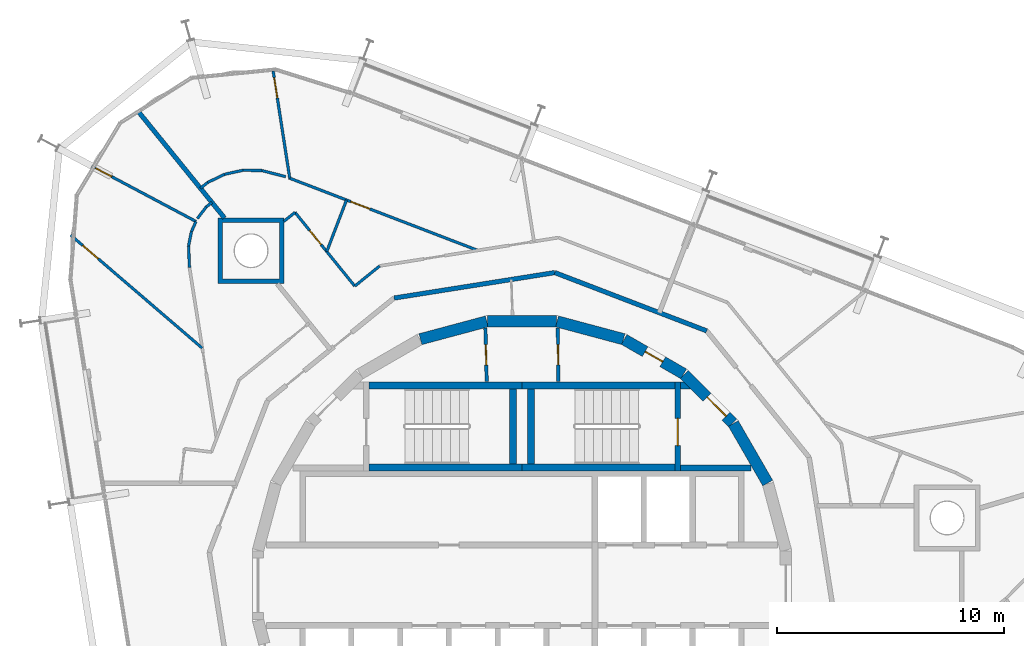
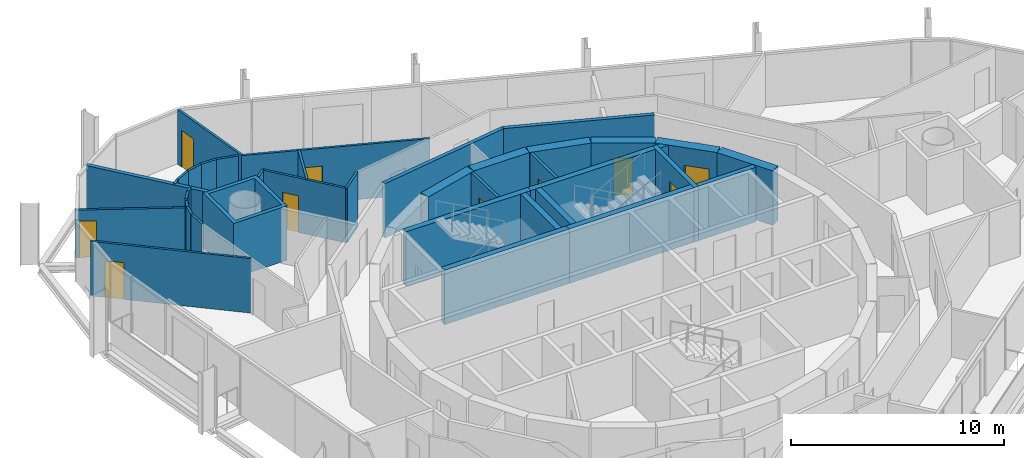
# One storey, part 15 of 17: 39 walls, 10 doors, 10 openings.
"""IFC4 building model written with IfcOpenShell, lengths in metres."""

import ifcopenshell
import ifcopenshell.guid

model = None  # the IFC model being written
_history = None  # IfcOwnerHistory: only IFC2X3 demands one
_inside = {}  # id of a spatial element -> (the spatial element, [elements in it])
_under = {}  # id of a project, library or spatial element -> (it, [spatial elements below it])
_declared = {}  # id of a project -> (the project, [libraries it declares])
_typed = {}  # id of a type object -> (the type object, [elements of that type])
_made_of = {}  # id of a material, layer set ... -> (it, [elements and type objects made of it])


def new_model(schema):
    """Start an empty IFC model of exactly this schema.

    Asked for "IFC4X3", IfcOpenShell would pick the latest addendum, in which some entities
    have other attributes; the version numbers below select the first issue.
    IFC2X3 requires an IfcOwnerHistory on every rooted entity: one is made here for all.
    """
    global model, _history
    if schema == "IFC4X3":
        model = ifcopenshell.file(schema_version=(4, 3, 0, 0))
    else:
        model = ifcopenshell.file(schema=schema)
    _inside.clear()
    _under.clear()
    _declared.clear()
    _typed.clear()
    _made_of.clear()
    _history = None
    if model.schema == "IFC2X3":
        org = make("IfcOrganization", Name="unknown")
        user = make(
            "IfcPersonAndOrganization",
            ThePerson=make("IfcPerson", FamilyName="unknown"),
            TheOrganization=org,
        )
        app = make(
            "IfcApplication",
            ApplicationDeveloper=org,
            Version="unknown",
            ApplicationFullName="unknown",
            ApplicationIdentifier="unknown",
        )
        _history = make(
            "IfcOwnerHistory",
            OwningUser=user,
            OwningApplication=app,
            ChangeAction="ADDED",
            CreationDate=0,
        )
    return model


def make(cls, **values):
    """One entity of the class cls with the attributes given. An attribute that is None is left unset."""
    return model.create_entity(
        cls, **{name: value for name, value in values.items() if value is not None}
    )


def rooted(cls, **values):
    """An entity with a GlobalId (a new one), such as an element, a storey or a relation."""
    return make(cls, GlobalId=ifcopenshell.guid.new(), OwnerHistory=_history, **values)


def si_unit(unit_type, name, prefix=None):
    """IfcSIUnit, for example si_unit("LENGTHUNIT", "METRE", prefix="MILLI")."""
    return make("IfcSIUnit", UnitType=unit_type, Prefix=prefix, Name=name)


def assignment(units):
    """IfcUnitAssignment: the units of a project."""
    return None if units is None else make("IfcUnitAssignment", Units=units)


def point(xyz):
    """IfcCartesianPoint."""
    return None if xyz is None else make("IfcCartesianPoint", Coordinates=xyz)


def direction(xyz):
    """IfcDirection."""
    return None if xyz is None else make("IfcDirection", DirectionRatios=xyz)


def frame(location, z_axis=None, x_axis=None):
    """IfcAxis2Placement3D, a coordinate frame: its origin and axes. An axis left out is left unset."""
    return make(
        "IfcAxis2Placement3D",
        Location=point(location),
        Axis=direction(z_axis),
        RefDirection=direction(x_axis),
    )


def frame_2d(location, x_axis=None):
    """IfcAxis2Placement2D, a coordinate frame in the plane: its origin and x axis."""
    return make(
        "IfcAxis2Placement2D", Location=point(location), RefDirection=direction(x_axis)
    )


def origin():
    """The frame at (0, 0, 0) with its axes left unset."""
    return frame((0.0, 0.0, 0.0))


def place(relative_to, where):
    """IfcLocalPlacement: puts the frame where relative to a parent placement (None: the world)."""
    return make(
        "IfcLocalPlacement", PlacementRelTo=relative_to, RelativePlacement=where
    )


def context(
    kind, dimensions, precision=None, world=None, true_north=None, identifier=None
):
    """IfcGeometricRepresentationContext, for example the 3D "Model" context."""
    return make(
        "IfcGeometricRepresentationContext",
        ContextIdentifier=identifier,
        ContextType=kind,
        CoordinateSpaceDimension=dimensions,
        Precision=precision,
        WorldCoordinateSystem=world,
        TrueNorth=true_north,
    )


def subcontext(parent, identifier, kind, view, scale=None):
    """IfcGeometricRepresentationSubContext, for example "Body" below "Model"."""
    return make(
        "IfcGeometricRepresentationSubContext",
        ContextIdentifier=identifier,
        ContextType=kind,
        ParentContext=parent,
        TargetScale=scale,
        TargetView=view,
    )


def project(units=None, contexts=None):
    """IfcProject with its units and contexts."""
    return rooted(
        "IfcProject",
        Name="project",
        RepresentationContexts=contexts,
        UnitsInContext=assignment(units),
    )


def spatial(cls, under=None, at=None, **own):
    """A site, building, storey or space (cls), placed at a placement, below another one or the project."""
    s = rooted(cls, ObjectPlacement=at, **own)
    if under is not None:
        _under.setdefault(under.id(), (under, []))[1].append(s)
    return s


def polyline(points):
    """IfcPolyline through the points."""
    return make("IfcPolyline", Points=[point(p) for p in points])


def profile(cls, at=None, kind="AREA", **sizes):
    """A parametric profile (cls). Its sizes go by their IFC names, for example OverallWidth=200.0."""
    return make(cls, ProfileType=kind, Position=at, **sizes)


def rectangle(**sizes):
    """IfcRectangleProfileDef."""
    return profile("IfcRectangleProfileDef", **sizes)


def outline(outer, holes=None, kind="AREA"):
    """IfcArbitraryClosedProfileDef: a profile drawn as a closed curve; with holes, ...WithVoids."""
    if holes is None:
        return make("IfcArbitraryClosedProfileDef", ProfileType=kind, OuterCurve=outer)
    return make(
        "IfcArbitraryProfileDefWithVoids",
        ProfileType=kind,
        OuterCurve=outer,
        InnerCurves=holes,
    )


def extrude(swept, where, along, depth):
    """IfcExtrudedAreaSolid: the profile swept, set in the frame where, extruded along a direction by depth."""
    return make(
        "IfcExtrudedAreaSolid",
        SweptArea=swept,
        Position=where,
        ExtrudedDirection=direction(along),
        Depth=depth,
    )


def shape(context_of_items, identifier, shape_type, items):
    """IfcShapeRepresentation: the items that make up one representation, for example the "Body"."""
    return make(
        "IfcShapeRepresentation",
        ContextOfItems=context_of_items,
        RepresentationIdentifier=identifier,
        RepresentationType=shape_type,
        Items=items,
    )


def material(Name=None, Category=None):
    """IfcMaterial."""
    return make("IfcMaterial", Name=Name, Category=Category)


def layer(
    of_material, thickness, ventilated=None, Name=None, Category=None, Priority=None
):
    """IfcMaterialLayer: one layer of a wall or slab, of a material (None: an air gap)."""
    return make(
        "IfcMaterialLayer",
        Material=of_material,
        LayerThickness=thickness,
        IsVentilated=ventilated,
        Name=Name,
        Category=Category,
        Priority=Priority,
    )


def layer_set(layers, Name=None):
    """IfcMaterialLayerSet."""
    return make("IfcMaterialLayerSet", MaterialLayers=layers, LayerSetName=Name)


def made_of(thing, what):
    """Note that an element or type object is made of a material, layer set ...; save() writes the relation."""
    if what is not None:
        _made_of.setdefault(what.id(), (what, []))[1].append(thing)
    return thing


def type_object(cls, material=None, **own):
    """A type object (cls), such as IfcWallType, which elements share."""
    return made_of(rooted(cls, **own), material)


def element(
    cls,
    number,
    at=None,
    inside=None,
    cuts=None,
    type_object=None,
    material=None,
    context=None,
    identifier="Body",
    shape_type=None,
    held_by="IfcProductDefinitionShape",
    body=None,
    shapes=None,
    **own,
):
    """One element of the class cls, such as IfcWall. Its Tag is "e" and its number.

    at: its placement. inside: the storey or other place that contains it. cuts: it is an
    opening in that element (IfcRelVoidsElement). A single representation is given by context,
    identifier, shape_type and body (its items); several are given by shapes. held_by: the class
    of the entity that holds the representations. save() writes the other relations.
    """
    e = rooted(cls, Tag="e%d" % number, ObjectPlacement=at, **own)
    if body is not None:
        shapes = [shape(context, identifier, shape_type, body)]
    if shapes is not None:
        e.Representation = make(held_by, Representations=shapes)
    if inside is not None:
        _inside.setdefault(inside.id(), (inside, []))[1].append(e)
    if cuts is not None:
        rooted(
            "IfcRelVoidsElement", RelatingBuildingElement=cuts, RelatedOpeningElement=e
        )
    if type_object is not None:
        _typed.setdefault(type_object.id(), (type_object, []))[1].append(e)
    return made_of(e, material)


def fill(opening, filler):
    """IfcRelFillsElement: the door or window that sits in an opening."""
    return rooted(
        "IfcRelFillsElement",
        RelatingOpeningElement=opening,
        RelatedBuildingElement=filler,
    )


def aggregate(whole, parts):
    """IfcRelAggregates: a whole, such as a stair, and the parts it consists of."""
    return rooted("IfcRelAggregates", RelatingObject=whole, RelatedObjects=parts)


def save(model, path):
    """Write the relations noted so far, then the file.

    IfcRelAggregates (storeys below a building ...), IfcRelContainedInSpatialStructure (elements
    in a storey), IfcRelDefinesByType, IfcRelAssociatesMaterial and IfcRelDeclares: one each for
    every whole, place, type object, material and project.
    """
    for whole, parts in _under.values():
        aggregate(whole, parts)
    for where, things in _inside.values():
        rooted(
            "IfcRelContainedInSpatialStructure",
            RelatedElements=things,
            RelatingStructure=where,
        )
    for kind, things in _typed.values():
        rooted("IfcRelDefinesByType", RelatedObjects=things, RelatingType=kind)
    for what, things in _made_of.values():
        rooted("IfcRelAssociatesMaterial", RelatedObjects=things, RelatingMaterial=what)
    for by, libraries in _declared.values():
        rooted("IfcRelDeclares", RelatingContext=by, RelatedDefinitions=libraries)
    model.write(path)


model = new_model("IFC4")

# Units and contexts
model_context = context("Model", 3, precision=1e-05, world=origin(), true_north=direction((0.0, 1.0)))
body_context = subcontext(model_context, "Body", "Model", "MODEL_VIEW")
ifc_project = project(units=[si_unit("LENGTHUNIT", "METRE"), si_unit("AREAUNIT", "SQUARE_METRE"), si_unit("VOLUMEUNIT", "CUBIC_METRE"), si_unit("PLANEANGLEUNIT", "RADIAN"), si_unit("MASSUNIT", "GRAM", prefix="KILO")], contexts=[model_context])

# Site, building, storey
site_placement = place(None, origin())
site = spatial("IfcSite", under=ifc_project, at=site_placement, CompositionType="ELEMENT")
building_placement = place(site_placement, origin())
building = spatial("IfcBuilding", under=site, at=building_placement, Name="Spindle Arch Residences", CompositionType="ELEMENT")
storey_placement = place(building_placement, frame((0.0, 0.0, 266.89990234375)))
storey = spatial("IfcBuildingStorey", under=building, at=storey_placement, Name="L68", CompositionType="ELEMENT", Elevation=266.89990234375)

# Wall
ifc_material_1 = material(Name="Concrete C50/60", Category="concrete")
ifc_layer_1 = layer(ifc_material_1, 0.5)
ifc_layer_set_1 = layer_set([ifc_layer_1], Name="Core outline wall 500")
wall_type_1 = type_object("IfcWallType", Name="Core outline wall 500", PredefinedType="SHEAR", material=ifc_layer_set_1)
wall_1_placement = place(storey_placement, frame((10.84521484375, 4.510498046875, 0.0), z_axis=(0.0, 0.0, 1.0), x_axis=(-0.500087131594, 0.865975092491, 0.0)))
element("IfcWall", 1, at=wall_1_placement, inside=storey, type_object=wall_type_1, Name="Core outline wall 8", PredefinedType="SHEAR", context=body_context, shape_type="SweptSolid", body=[
    extrude(rectangle(XDim=3.03271484375, YDim=0.5, at=frame_2d((1.516357421875, 0.0))), origin(), (0.0, 0.0, 1.0), 3.1201171875),
])

# Wall, opening, door
wall_2_placement = place(storey_placement, frame((9.30810546875, 7.163818359375, 0.0), z_axis=(0.0, 0.0, 1.0), x_axis=(-0.707106781187, 0.707106781187, 0.0)))
wall_2 = element("IfcWall", 2, at=wall_2_placement, inside=storey, type_object=wall_type_1, Name="Core outline wall 9", PredefinedType="SHEAR", context=body_context, shape_type="SweptSolid", body=[
    extrude(rectangle(XDim=3.032470703125, YDim=0.5, at=frame_2d((1.51611328125, 0.0))), origin(), (0.0, 0.0, 1.0), 3.1201171875),
])
opening_1_placement = place(wall_2_placement, frame((0.416259765625, 0.0, 0.0)))
opening_1 = element("IfcOpeningElement", 3, at=opening_1_placement, cuts=wall_2, Name="Opening R7A1-AD01", PredefinedType="OPENING", context=body_context, shape_type="SweptSolid", body=[
    extrude(rectangle(XDim=1.199951171875, YDim=2.10009765625, at=frame_2d((0.60009765625, 1.050048828125))), frame((0.0, 0.260009765625, 0.0), z_axis=(0.0, -1.0, 0.0), x_axis=(1.0, 0.0, 0.0)), (0.0, 0.0, 1.0), 0.52001953125),
])
ifc_material_2 = material(Name="Steel, fire-resisting door", Category="steel")
door_type_1 = type_object("IfcDoorType", Name="Stair airlock door 1200x2100", OperationType="SINGLE_SWING_LEFT", PredefinedType="DOOR", material=ifc_material_2)
door_1_placement = place(opening_1_placement, origin())
door_1 = element("IfcDoor", 4, at=door_1_placement, inside=storey, type_object=door_type_1, Name="Stair airlock door R7A1-AD01", OperationType="SINGLE_SWING_RIGHT", OverallHeight=2.10009765625, OverallWidth=1.199951171875, PredefinedType="DOOR", context=body_context, shape_type="SweptSolid", body=[
    extrude(rectangle(XDim=1.199951171875, YDim=2.10009765625, at=frame_2d((0.60009765625, 1.050048828125))), frame((0.0, 0.02490234375, 0.0), z_axis=(0.0, -1.0, 0.0), x_axis=(1.0, 0.0, 0.0)), (0.0, 0.0, 1.0), 0.050048828125),
])
fill(opening_1, door_1)

wall_3_placement = place(storey_placement, frame((7.13671875, 9.32861328125, 0.0), z_axis=(0.0, 0.0, 1.0), x_axis=(-0.865975092491, 0.500087131594, 0.0)))
wall_3 = element("IfcWall", 5, at=wall_3_placement, inside=storey, type_object=wall_type_1, Name="Core outline wall 10", PredefinedType="SHEAR", context=body_context, shape_type="SweptSolid", body=[
    extrude(rectangle(XDim=3.03271484375, YDim=0.5, at=frame_2d((1.516357421875, 0.0))), origin(), (0.0, 0.0, 1.0), 3.1201171875),
])
opening_2_placement = place(wall_3_placement, frame((1.06640625, 0.0, 0.0)))
opening_2 = element("IfcOpeningElement", 6, at=opening_2_placement, cuts=wall_3, Name="Opening R7A1-WD09", PredefinedType="OPENING", context=body_context, shape_type="SweptSolid", body=[
    extrude(rectangle(XDim=0.89990234375, YDim=2.10009765625, at=frame_2d((0.449951171875, 1.050048828125))), frame((0.0, 0.260009765625, 0.0), z_axis=(0.0, -1.0, 0.0), x_axis=(1.0, 0.0, 0.0)), (0.0, 0.0, 1.0), 0.52001953125),
])
ifc_material_3 = material(Name="Steel, fire-resisting door", Category="steel")
door_type_2 = type_object("IfcDoorType", Name="Service room door 900x2100", OperationType="SINGLE_SWING_LEFT", PredefinedType="DOOR", material=ifc_material_3)
door_2_placement = place(opening_2_placement, origin())
door_2 = element("IfcDoor", 7, at=door_2_placement, inside=storey, type_object=door_type_2, Name="Service room door R7A1-WD09", OperationType="SINGLE_SWING_LEFT", OverallHeight=2.10009765625, OverallWidth=0.89990234375, PredefinedType="DOOR", context=body_context, shape_type="SweptSolid", body=[
    extrude(rectangle(XDim=0.89990234375, YDim=2.10009765625, at=frame_2d((0.449951171875, 1.050048828125))), frame((0.0, 0.02490234375, 0.0), z_axis=(0.0, -1.0, 0.0), x_axis=(1.0, 0.0, 0.0)), (0.0, 0.0, 1.0), 0.050048828125),
])
fill(opening_2, door_2)

# Walls
for number, where, z_axis, x_axis, name in (
    (8, (4.479248046875, 10.858154296875, 0.0), (0.0, 0.0, 1.0), (-0.965948410781, 0.258734743916, 0.0), "Core outline wall 11"),
    (9, (1.516357421875, 11.647216796875, 0.0), (0.0, 0.0, 1.0), (-1.0, 0.0, 0.0), "Core outline wall 12"),
    (10, (-1.5498046875, 11.642822265625, 0.0), (0.0, 0.0, 1.0), (-0.965948410781, -0.258734743916, 0.0), "Core outline wall 13"),
):
    element("IfcWall", number, at=place(storey_placement, frame(where, z_axis=z_axis, x_axis=x_axis)), inside=storey, type_object=wall_type_1, Name=name, PredefinedType="SHEAR", context=body_context, shape_type="SweptSolid", body=[
        extrude(rectangle(XDim=3.03271484375, YDim=0.5, at=frame_2d((1.516357421875, 0.0))), origin(), (0.0, 0.0, 1.0), 3.1201171875),
    ])
ifc_material_4 = material(Name="Calcium silicate block, plastered")
ifc_layer_2 = layer(ifc_material_4, 0.199951171875)
ifc_layer_set_2 = layer_set([ifc_layer_2], Name="Corridor wall 200")
wall_type_2 = type_object("IfcWallType", Name="Corridor wall 200", PredefinedType="STANDARD", material=ifc_layer_set_2)
wall_4_placement = place(storey_placement, frame((8.154296875, 11.223388671875, 0.0), z_axis=(0.0, 0.0, 1.0), x_axis=(-0.93359073609, 0.358341090983, 0.0)))
element("IfcWall", 11, at=wall_4_placement, inside=storey, type_object=wall_type_2, Name="Corridor wall R7A1-W007", PredefinedType="STANDARD", context=body_context, shape_type="SweptSolid", body=[
    extrude(rectangle(XDim=7.180908203125, YDim=0.199951171875, at=frame_2d((3.59033203125, 0.0))), origin(), (0.0, 0.0, 1.0), 3.1201171875),
])
wall_5_placement = place(storey_placement, frame((1.4501953125, 13.796630859375, 0.0), z_axis=(0.0, 0.0, 1.0), x_axis=(-0.987690361611, -0.156421704315, 0.0)))
element("IfcWall", 12, at=wall_5_placement, inside=storey, type_object=wall_type_2, Name="Corridor wall R7A1-W008", PredefinedType="STANDARD", context=body_context, shape_type="SweptSolid", body=[
    extrude(rectangle(XDim=7.18115234375, YDim=0.199951171875, at=frame_2d((3.590576171875, 0.0))), origin(), (0.0, 0.0, 1.0), 3.1201171875),
])
ifc_material_5 = material(Name="Plasterboard on steel studs", Category="steel")
ifc_layer_3 = layer(ifc_material_5, 0.1201171875)
ifc_layer_set_3 = layer_set([ifc_layer_3], Name="Flat partition 120")
wall_type_3 = type_object("IfcWallType", Name="Flat partition 120", PredefinedType="PARTITIONING", material=ifc_layer_set_3)
wall_6_placement = place(storey_placement, frame((-6.274169921875, 14.092041015625, 0.0), z_axis=(0.0, 0.0, 1.0), x_axis=(-0.777144673245, -0.629321981855, 0.0)))
element("IfcWall", 13, at=wall_6_placement, inside=storey, type_object=wall_type_3, Name="Flat partition R7A1-W039", PredefinedType="PARTITIONING", context=body_context, shape_type="SweptSolid", body=[
    extrude(rectangle(XDim=1.418701171875, YDim=0.1201171875, at=frame_2d((0.70947265625, 0.0))), origin(), (0.0, 0.0, 1.0), 3.1201171875),
])

# Wall, opening, door
wall_7_placement = place(storey_placement, frame((-7.376708984375, 13.19921875, 0.0), z_axis=(0.0, 0.0, 1.0), x_axis=(-0.629382670352, 0.77709552454, 0.0)))
wall_7 = element("IfcWall", 14, at=wall_7_placement, inside=storey, type_object=wall_type_3, Name="Flat partition R7A1-W040", PredefinedType="PARTITIONING", context=body_context, shape_type="SweptSolid", body=[
    extrude(rectangle(XDim=4.188232421875, YDim=0.1201171875, at=frame_2d((2.09423828125, 0.0))), origin(), (0.0, 0.0, 1.0), 3.1201171875),
])
opening_3_placement = place(wall_7_placement, frame((2.364013671875, 0.0, 0.0)))
opening_3 = element("IfcOpeningElement", 15, at=opening_3_placement, cuts=wall_7, Name="Opening R7A1-BD02", PredefinedType="OPENING", context=body_context, shape_type="SweptSolid", body=[
    extrude(rectangle(XDim=0.800048828125, YDim=2.10009765625, at=frame_2d((0.39990234375, 1.050048828125))), frame((0.0, 0.070068359375, 0.0), z_axis=(0.0, -1.0, 0.0), x_axis=(1.0, 0.0, 0.0)), (0.0, 0.0, 1.0), 0.14013671875),
])
ifc_material_6 = material(Name="Timber door set", Category="wood")
door_type_3 = type_object("IfcDoorType", Name="Bathroom door 800x2100", OperationType="NOTDEFINED", PredefinedType="DOOR", material=ifc_material_6)
door_3_placement = place(opening_3_placement, origin())
door_3 = element("IfcDoor", 16, at=door_3_placement, inside=storey, type_object=door_type_3, Name="Bathroom door R7A1-BD02", OperationType="SINGLE_SWING_RIGHT", OverallHeight=2.10009765625, OverallWidth=0.800048828125, PredefinedType="DOOR", context=body_context, shape_type="SweptSolid", body=[
    extrude(rectangle(XDim=0.800048828125, YDim=2.10009765625, at=frame_2d((0.39990234375, 1.050048828125))), frame((0.0, 0.02490234375, 0.0), z_axis=(0.0, -1.0, 0.0), x_axis=(1.0, 0.0, 0.0)), (0.0, 0.0, 1.0), 0.050048828125),
])
fill(opening_3, door_3)

# Wall
wall_8_placement = place(storey_placement, frame((-10.0126953125, 16.453857421875, 0.0), z_axis=(0.0, 0.0, 1.0), x_axis=(-0.777001388062, -0.629498882406, 0.0)))
element("IfcWall", 17, at=wall_8_placement, inside=storey, type_object=wall_type_3, Name="Flat partition R7A1-W041", PredefinedType="PARTITIONING", context=body_context, shape_type="SweptSolid", body=[
    extrude(rectangle(XDim=0.630615234375, YDim=0.1201171875, at=frame_2d((0.3154296875, 0.0))), origin(), (0.0, 0.0, 1.0), 3.1201171875),
])

# Wall, opening, door
wall_9_placement = place(storey_placement, frame((-10.288818359375, 17.977783203125, 0.0), z_axis=(0.0, 0.0, 1.0), x_axis=(0.933579293595, -0.358370900844, 0.0)))
wall_9 = element("IfcWall", 18, at=wall_9_placement, inside=storey, type_object=wall_type_3, Name="Flat partition R7A1-W043", PredefinedType="PARTITIONING", context=body_context, shape_type="SweptSolid", body=[
    extrude(rectangle(XDim=8.931884765625, YDim=0.1201171875, at=frame_2d((4.4658203125, 0.0))), origin(), (0.0, 0.0, 1.0), 3.1201171875),
])
opening_4_placement = place(wall_9_placement, frame((2.93017578125, 0.0, 0.0)))
opening_4 = element("IfcOpeningElement", 19, at=opening_4_placement, cuts=wall_9, Name="Opening R7A1-ID09", PredefinedType="OPENING", context=body_context, shape_type="SweptSolid", body=[
    extrude(rectangle(XDim=0.89990234375, YDim=2.10009765625, at=frame_2d((0.449951171875, 1.050048828125))), frame((0.0, 0.070068359375, 0.0), z_axis=(0.0, -1.0, 0.0), x_axis=(1.0, 0.0, 0.0)), (0.0, 0.0, 1.0), 0.14013671875),
])
ifc_material_7 = material(Name="Timber door set", Category="wood")
door_type_4 = type_object("IfcDoorType", Name="Room door 900x2100", OperationType="NOTDEFINED", PredefinedType="DOOR", material=ifc_material_7)
door_4_placement = place(opening_4_placement, origin())
door_4 = element("IfcDoor", 20, at=door_4_placement, inside=storey, type_object=door_type_4, Name="Room door R7A1-ID09", OperationType="SINGLE_SWING_LEFT", OverallHeight=2.10009765625, OverallWidth=0.89990234375, PredefinedType="DOOR", context=body_context, shape_type="SweptSolid", body=[
    extrude(rectangle(XDim=0.89990234375, YDim=2.10009765625, at=frame_2d((0.449951171875, 1.050048828125))), frame((0.0, 0.02490234375, 0.0), z_axis=(0.0, -1.0, 0.0), x_axis=(1.0, 0.0, 0.0)), (0.0, 0.0, 1.0), 0.050048828125),
])
fill(opening_4, door_4)

wall_10_placement = place(storey_placement, frame((-10.977294921875, 22.690673828125, 0.0), z_axis=(0.0, 0.0, 1.0), x_axis=(0.152888983102, -0.988243370252, 0.0)))
wall_10 = element("IfcWall", 21, at=wall_10_placement, inside=storey, type_object=wall_type_3, Name="Flat partition R7A1-W044", PredefinedType="PARTITIONING", context=body_context, shape_type="SweptSolid", body=[
    extrude(rectangle(XDim=4.78564453125, YDim=0.1201171875, at=frame_2d((2.392822265625, 0.0))), origin(), (0.0, 0.0, 1.0), 3.1201171875),
])
opening_5_placement = place(wall_10_placement, frame((0.300048828125, 0.0, 0.0)))
opening_5 = element("IfcOpeningElement", 22, at=opening_5_placement, cuts=wall_10, Name="Opening R7A1-ID08", PredefinedType="OPENING", context=body_context, shape_type="SweptSolid", body=[
    extrude(rectangle(XDim=0.89990234375, YDim=2.10009765625, at=frame_2d((0.449951171875, 1.050048828125))), frame((0.0, 0.070068359375, 0.0), z_axis=(0.0, -1.0, 0.0), x_axis=(1.0, 0.0, 0.0)), (0.0, 0.0, 1.0), 0.14013671875),
])
door_5_placement = place(opening_5_placement, origin())
door_5 = element("IfcDoor", 23, at=door_5_placement, inside=storey, type_object=door_type_4, Name="Room door R7A1-ID08", OperationType="SINGLE_SWING_RIGHT", OverallHeight=2.10009765625, OverallWidth=0.89990234375, PredefinedType="DOOR", context=body_context, shape_type="SweptSolid", body=[
    extrude(rectangle(XDim=0.89990234375, YDim=2.10009765625, at=frame_2d((0.449951171875, 1.050048828125))), frame((0.0, 0.02490234375, 0.0), z_axis=(0.0, -1.0, 0.0), x_axis=(1.0, 0.0, 0.0)), (0.0, 0.0, 1.0), 0.050048828125),
])
fill(opening_5, door_5)

# Walls
wall_11_placement = place(storey_placement, frame((-7.73974609375, 16.99951171875, 0.0), z_axis=(0.0, 0.0, 1.0), x_axis=(-0.358394723652, -0.93357014844, 0.0)))
element("IfcWall", 24, at=wall_11_placement, inside=storey, type_object=wall_type_3, Name="Flat partition R7A1-W045", PredefinedType="PARTITIONING", context=body_context, shape_type="SweptSolid", body=[
    extrude(rectangle(XDim=2.43603515625, YDim=0.1201171875, at=frame_2d((1.218017578125, 0.0))), origin(), (0.0, 0.0, 1.0), 3.1201171875),
])
wall_12_placement = place(storey_placement, frame((-10.423583984375, 18.029541015625, 0.0), z_axis=(0.0, 0.0, 1.0), x_axis=(-0.968874161395, 0.247553750489, 0.0)))
element("IfcWall", 25, at=wall_12_placement, inside=storey, type_object=wall_type_3, Name="Flat partition R7A1-W046", PredefinedType="PARTITIONING", context=body_context, shape_type="SweptSolid", body=[
    extrude(rectangle(XDim=1.0869140625, YDim=0.1201171875, at=frame_2d((0.54345703125, 0.0))), origin(), (0.0, 0.0, 1.0), 3.1201171875),
])
wall_13_placement = place(storey_placement, frame((-11.4765625, 18.298583984375, 0.0), z_axis=(0.0, 0.0, 1.0), x_axis=(-0.999848939146, 0.017380992165, 0.0)))
element("IfcWall", 26, at=wall_13_placement, inside=storey, type_object=wall_type_3, Name="Flat partition R7A1-W047", PredefinedType="PARTITIONING", context=body_context, shape_type="SweptSolid", body=[
    extrude(rectangle(XDim=0.828857421875, YDim=0.1201171875, at=frame_2d((0.41455078125, 0.0))), origin(), (0.0, 0.0, 1.0), 3.1201171875),
])
wall_14_placement = place(storey_placement, frame((-12.30517578125, 18.31298828125, 0.0), z_axis=(0.0, 0.0, 1.0), x_axis=(-0.976949932909, -0.21346856581, 0.0)))
element("IfcWall", 27, at=wall_14_placement, inside=storey, type_object=wall_type_3, Name="Flat partition R7A1-W048", PredefinedType="PARTITIONING", context=body_context, shape_type="SweptSolid", body=[
    extrude(rectangle(XDim=0.8291015625, YDim=0.1201171875, at=frame_2d((0.41455078125, 0.0))), origin(), (0.0, 0.0, 1.0), 3.1201171875),
])
wall_15_placement = place(storey_placement, frame((-13.115234375, 18.135986328125, 0.0), z_axis=(0.0, 0.0, 1.0), x_axis=(-0.901385111422, -0.43301833784, 0.0)))
element("IfcWall", 28, at=wall_15_placement, inside=storey, type_object=wall_type_3, Name="Flat partition R7A1-W049", PredefinedType="PARTITIONING", context=body_context, shape_type="SweptSolid", body=[
    extrude(rectangle(XDim=0.828857421875, YDim=0.1201171875, at=frame_2d((0.41455078125, 0.0))), origin(), (0.0, 0.0, 1.0), 3.1201171875),
])
wall_16_placement = place(storey_placement, frame((-13.8623046875, 17.777099609375, 0.0), z_axis=(0.0, 0.0, 1.0), x_axis=(-0.776888119785, -0.629638665694, 0.0)))
element("IfcWall", 29, at=wall_16_placement, inside=storey, type_object=wall_type_3, Name="Flat partition R7A1-W050", PredefinedType="PARTITIONING", context=body_context, shape_type="SweptSolid", body=[
    extrude(rectangle(XDim=0.41455078125, YDim=0.1201171875, at=frame_2d((0.207275390625, 0.0))), origin(), (0.0, 0.0, 1.0), 3.1201171875),
])
wall_17_placement = place(storey_placement, frame((-14.322509765625, 16.184326171875, 0.0), z_axis=(0.0, 0.0, 1.0), x_axis=(0.611198506308, 0.791477343887, 0.0)))
element("IfcWall", 30, at=wall_17_placement, inside=storey, type_object=wall_type_3, Name="Flat partition R7A1-W055", PredefinedType="PARTITIONING", context=body_context, shape_type="SweptSolid", body=[
    extrude(rectangle(XDim=0.641845703125, YDim=0.1201171875, at=frame_2d((0.32080078125, 0.0))), origin(), (0.0, 0.0, 1.0), 3.1201171875),
])
wall_18_placement = place(storey_placement, frame((-13.93017578125, 16.6923828125, 0.0), z_axis=(0.0, 0.0, 1.0), x_axis=(0.776695397137, 0.62987638475, 0.0)))
element("IfcWall", 31, at=wall_18_placement, inside=storey, type_object=wall_type_3, Name="Flat partition R7A1-W056", PredefinedType="PARTITIONING", context=body_context, shape_type="SweptSolid", body=[
    extrude(rectangle(XDim=0.321044921875, YDim=0.1201171875, at=frame_2d((0.16064453125, 0.0))), origin(), (0.0, 0.0, 1.0), 3.1201171875),
])
wall_19_placement = place(storey_placement, frame((-14.382080078125, 16.052490234375, 0.0), z_axis=(0.0, 0.0, 1.0), x_axis=(-0.412099912529, -0.911138662385, 0.0)))
element("IfcWall", 32, at=wall_19_placement, inside=storey, type_object=wall_type_3, Name="Flat partition R7A1-W058", PredefinedType="PARTITIONING", context=body_context, shape_type="SweptSolid", body=[
    extrude(rectangle(XDim=0.4970703125, YDim=0.1201171875, at=frame_2d((0.24853515625, 0.0))), origin(), (0.0, 0.0, 1.0), 3.1201171875),
])
wall_20_placement = place(storey_placement, frame((-14.5869140625, 15.599609375, 0.0), z_axis=(0.0, 0.0, 1.0), x_axis=(-0.190920556667, -0.98160549155, 0.0)))
element("IfcWall", 33, at=wall_20_placement, inside=storey, type_object=wall_type_3, Name="Flat partition R7A1-W059", PredefinedType="PARTITIONING", context=body_context, shape_type="SweptSolid", body=[
    extrude(rectangle(XDim=0.641845703125, YDim=0.1201171875, at=frame_2d((0.32080078125, 0.0))), origin(), (0.0, 0.0, 1.0), 3.1201171875),
])
wall_21_placement = place(storey_placement, frame((-14.70947265625, 14.969482421875, 0.0), z_axis=(0.0, 0.0, 1.0), x_axis=(0.040729848009, -0.999170195453, 0.0)))
element("IfcWall", 34, at=wall_21_placement, inside=storey, type_object=wall_type_3, Name="Flat partition R7A1-W060", PredefinedType="PARTITIONING", context=body_context, shape_type="SweptSolid", body=[
    extrude(rectangle(XDim=0.947021484375, YDim=0.1201171875, at=frame_2d((0.4736328125, 0.0))), origin(), (0.0, 0.0, 1.0), 3.1201171875),
])

# Wall, opening, door
wall_22_placement = place(storey_placement, frame((-19.9130859375, 15.450927734375, 0.0), z_axis=(0.0, 0.0, 1.0), x_axis=(0.758623462992, -0.6515293097, 0.0)))
wall_22 = element("IfcWall", 35, at=wall_22_placement, inside=storey, type_object=wall_type_3, Name="Flat partition R7A1-W062", PredefinedType="PARTITIONING", context=body_context, shape_type="SweptSolid", body=[
    extrude(rectangle(XDim=7.65283203125, YDim=0.1201171875, at=frame_2d((3.826416015625, 0.0))), origin(), (0.0, 0.0, 1.0), 3.1201171875),
])
opening_6_placement = place(wall_22_placement, frame((0.699951171875, 0.0, 0.0)))
opening_6 = element("IfcOpeningElement", 36, at=opening_6_placement, cuts=wall_22, Name="Opening R7A1-ID12", PredefinedType="OPENING", context=body_context, shape_type="SweptSolid", body=[
    extrude(rectangle(XDim=0.89990234375, YDim=2.10009765625, at=frame_2d((0.449951171875, 1.050048828125))), frame((0.0, 0.070068359375, 0.0), z_axis=(0.0, -1.0, 0.0), x_axis=(1.0, 0.0, 0.0)), (0.0, 0.0, 1.0), 0.14013671875),
])
door_6_placement = place(opening_6_placement, origin())
door_6 = element("IfcDoor", 37, at=door_6_placement, inside=storey, type_object=door_type_4, Name="Room door R7A1-ID12", OperationType="SINGLE_SWING_LEFT", OverallHeight=2.10009765625, OverallWidth=0.89990234375, PredefinedType="DOOR", context=body_context, shape_type="SweptSolid", body=[
    extrude(rectangle(XDim=0.89990234375, YDim=2.10009765625, at=frame_2d((0.449951171875, 1.050048828125))), frame((0.0, 0.02490234375, 0.0), z_axis=(0.0, -1.0, 0.0), x_axis=(1.0, 0.0, 0.0)), (0.0, 0.0, 1.0), 0.050048828125),
])
fill(opening_6, door_6)

ifc_material_8 = material(Name="Plasterboard on steel studs", Category="steel")
ifc_layer_4 = layer(ifc_material_8, 0.1201171875)
ifc_layer_set_4 = layer_set([ifc_layer_4], Name="Flat partition 120 under beam 2730")
wall_type_4 = type_object("IfcWallType", Name="Flat partition 120 under beam 2730", PredefinedType="PARTITIONING", material=ifc_layer_set_4)
wall_23_placement = place(storey_placement, frame((-18.98291015625, 18.498779296875, 0.0), z_axis=(0.0, 0.0, 1.0), x_axis=(0.882948840489, -0.469469216328, 0.0)))
wall_23 = element("IfcWall", 38, at=wall_23_placement, inside=storey, type_object=wall_type_4, Name="Flat partition R7A1-W057", PredefinedType="PARTITIONING", context=body_context, shape_type="SweptSolid", body=[
    extrude(rectangle(XDim=5.210693359375, YDim=0.1201171875, at=frame_2d((2.60546875, 0.0))), origin(), (0.0, 0.0, 1.0), 2.72998046875),
])
opening_7_placement = place(wall_23_placement, frame((0.199951171875, 0.0, 0.0)))
opening_7 = element("IfcOpeningElement", 39, at=opening_7_placement, cuts=wall_23, Name="Opening R7A1-BD03", PredefinedType="OPENING", context=body_context, shape_type="SweptSolid", body=[
    extrude(rectangle(XDim=0.800048828125, YDim=2.10009765625, at=frame_2d((0.39990234375, 1.050048828125))), frame((0.0, 0.070068359375, 0.0), z_axis=(0.0, -1.0, 0.0), x_axis=(1.0, 0.0, 0.0)), (0.0, 0.0, 1.0), 0.14013671875),
])
door_7_placement = place(opening_7_placement, origin())
door_7 = element("IfcDoor", 40, at=door_7_placement, inside=storey, type_object=door_type_3, Name="Bathroom door R7A1-BD03", OperationType="SINGLE_SWING_LEFT", OverallHeight=2.10009765625, OverallWidth=0.800048828125, PredefinedType="DOOR", context=body_context, shape_type="SweptSolid", body=[
    extrude(rectangle(XDim=0.800048828125, YDim=2.10009765625, at=frame_2d((0.39990234375, 1.050048828125))), frame((0.0, 0.02490234375, 0.0), z_axis=(0.0, -1.0, 0.0), x_axis=(1.0, 0.0, 0.0)), (0.0, 0.0, 1.0), 0.050048828125),
])
fill(opening_7, door_7)

# Walls
ifc_material_9 = material(Name="Calcium silicate block, plastered")
ifc_layer_5 = layer(ifc_material_9, 0.199951171875)
ifc_layer_set_5 = layer_set([ifc_layer_5], Name="Flat party wall 200")
wall_type_5 = type_object("IfcWallType", Name="Flat party wall 200", PredefinedType="STANDARD", material=ifc_layer_set_5)
wall_24_placement = place(storey_placement, frame((-16.953369140625, 20.935546875, 0.0), z_axis=(0.0, 0.0, 1.0), x_axis=(0.629331057166, -0.777137324085, 0.0)))
element("IfcWall", 41, at=wall_24_placement, inside=storey, type_object=wall_type_5, Name="Flat party wall R7A1-W026", PredefinedType="STANDARD", context=body_context, shape_type="SweptSolid", body=[
    extrude(rectangle(XDim=6.080078125, YDim=0.199951171875, at=frame_2d((3.0400390625, 0.0))), origin(), (0.0, 0.0, 1.0), 3.1201171875),
])
ifc_material_10 = material(Name="Calcium silicate block, plastered")
ifc_layer_6 = layer(ifc_material_10, 0.199951171875)
ifc_layer_set_6 = layer_set([ifc_layer_6], Name="Mega-column casing wall 200")
wall_type_6 = type_object("IfcWallType", Name="Mega-column casing wall 200", PredefinedType="STANDARD", material=ifc_layer_set_6)
wall_25_placement = place(storey_placement, origin())
element("IfcWall", 42, at=wall_25_placement, inside=storey, type_object=wall_type_6, Name="Mega-column casing wall R7A1-WC02", PredefinedType="STANDARD", context=body_context, shape_type="SweptSolid", body=[
    extrude(outline(polyline([(-10.502685546875, 16.21044921875), (-10.502685546875, 13.310546875), (-13.40283203125, 13.310546875), (-13.40283203125, 16.21044921875), (-10.502685546875, 16.21044921875)]), holes=[polyline([(-13.202880859375, 13.510498046875), (-10.702880859375, 13.510498046875), (-10.702880859375, 16.010498046875), (-13.202880859375, 16.010498046875), (-13.202880859375, 13.510498046875)])]), origin(), (0.0, 0.0, 1.0), 3.1201171875),
])

# Wall, opening, door
ifc_material_11 = material(Name="Concrete C25/30", Category="concrete")
ifc_layer_7 = layer(ifc_material_11, 0.14990234375)
ifc_layer_set_7 = layer_set([ifc_layer_7], Name="Service room partition 150")
wall_type_7 = type_object("IfcWallType", Name="Service room partition 150", PredefinedType="PARTITIONING", material=ifc_layer_set_7)
wall_26_placement = place(storey_placement, frame((1.585693359375, 11.3544921875, 0.0), z_axis=(0.0, 0.0, 1.0), x_axis=(0.007227482881, -0.999973881405, 0.0)))
wall_26 = element("IfcWall", 43, at=wall_26_placement, inside=storey, type_object=wall_type_7, Name="Core service room partition", PredefinedType="PARTITIONING", context=body_context, shape_type="SweptSolid", body=[
    extrude(rectangle(XDim=2.364501953125, YDim=0.14990234375, at=frame_2d((1.18212890625, 0.0))), origin(), (0.0, 0.0, 1.0), 3.1201171875),
])
opening_8_placement = place(wall_26_placement, frame((0.732177734375, 0.0, 0.0)))
opening_8 = element("IfcOpeningElement", 44, at=opening_8_placement, cuts=wall_26, Name="Opening R7A1-WD05", PredefinedType="OPENING", context=body_context, shape_type="SweptSolid", body=[
    extrude(rectangle(XDim=0.89990234375, YDim=2.10009765625, at=frame_2d((0.449951171875, 1.050048828125))), frame((0.0, 0.0849609375, 0.0), z_axis=(0.0, -1.0, 0.0), x_axis=(1.0, 0.0, 0.0)), (0.0, 0.0, 1.0), 0.169921875),
])
door_8_placement = place(opening_8_placement, origin())
door_8 = element("IfcDoor", 45, at=door_8_placement, inside=storey, type_object=door_type_2, Name="Service room door R7A1-WD05", OperationType="SINGLE_SWING_LEFT", OverallHeight=2.10009765625, OverallWidth=0.89990234375, PredefinedType="DOOR", context=body_context, shape_type="SweptSolid", body=[
    extrude(rectangle(XDim=0.89990234375, YDim=2.10009765625, at=frame_2d((0.449951171875, 1.050048828125))), frame((0.0, 0.02490234375, 0.0), z_axis=(0.0, -1.0, 0.0), x_axis=(1.0, 0.0, 0.0)), (0.0, 0.0, 1.0), 0.050048828125),
])
fill(opening_8, door_8)

wall_27_placement = place(storey_placement, frame((-1.555419921875, 8.989990234375, 0.0), z_axis=(0.0, 0.0, 1.0), x_axis=(-0.024125549686, 0.999708936567, 0.0)))
wall_27 = element("IfcWall", 46, at=wall_27_placement, inside=storey, type_object=wall_type_7, Name="Core service room partition", PredefinedType="PARTITIONING", context=body_context, shape_type="SweptSolid", body=[
    extrude(rectangle(XDim=2.35791015625, YDim=0.14990234375, at=frame_2d((1.178955078125, 0.0))), origin(), (0.0, 0.0, 1.0), 3.1201171875),
])
opening_9_placement = place(wall_27_placement, frame((0.72900390625, 0.0, 0.0)))
opening_9 = element("IfcOpeningElement", 47, at=opening_9_placement, cuts=wall_27, Name="Opening R7A1-WD06", PredefinedType="OPENING", context=body_context, shape_type="SweptSolid", body=[
    extrude(rectangle(XDim=0.89990234375, YDim=2.10009765625, at=frame_2d((0.449951171875, 1.050048828125))), frame((0.0, 0.0849609375, 0.0), z_axis=(0.0, -1.0, 0.0), x_axis=(1.0, 0.0, 0.0)), (0.0, 0.0, 1.0), 0.169921875),
])
door_9_placement = place(opening_9_placement, origin())
door_9 = element("IfcDoor", 48, at=door_9_placement, inside=storey, type_object=door_type_2, Name="Service room door R7A1-WD06", OperationType="SINGLE_SWING_RIGHT", OverallHeight=2.10009765625, OverallWidth=0.89990234375, PredefinedType="DOOR", context=body_context, shape_type="SweptSolid", body=[
    extrude(rectangle(XDim=0.89990234375, YDim=2.10009765625, at=frame_2d((0.449951171875, 1.050048828125))), frame((0.0, 0.02490234375, 0.0), z_axis=(0.0, -1.0, 0.0), x_axis=(1.0, 0.0, 0.0)), (0.0, 0.0, 1.0), 0.050048828125),
])
fill(opening_9, door_9)

# Walls
ifc_material_12 = material(Name="Concrete C40/50", Category="concrete")
ifc_layer_8 = layer(ifc_material_12, 0.25)
ifc_layer_set_8 = layer_set([ifc_layer_8], Name="Stair airlock wall 250")
wall_type_8 = type_object("IfcWallType", Name="Stair airlock wall 250", PredefinedType="SHEAR", material=ifc_layer_set_8)
wall_28_placement = place(storey_placement, frame((7.0, 5.175048828125, 0.0), z_axis=(0.0, 0.0, 1.0), x_axis=(1.0, 0.0, 0.0)))
element("IfcWall", 49, at=wall_28_placement, inside=storey, type_object=wall_type_8, Name="Stair ST-1 airlock wall S", PredefinedType="SHEAR", context=body_context, shape_type="SweptSolid", body=[
    extrude(rectangle(XDim=3.10009765625, YDim=0.25, at=frame_2d((1.550048828125, 0.0))), origin(), (0.0, 0.0, 1.0), 3.1201171875),
])
ifc_material_13 = material(Name="Concrete C40/50", Category="concrete")
wall_type_9 = type_object("IfcWallType", Name="Stair airlock wall profile", PredefinedType="SHEAR", material=ifc_material_13)
wall_29_placement = place(storey_placement, origin())
element("IfcWall", 50, at=wall_29_placement, inside=storey, type_object=wall_type_9, Name="Stair ST-1 airlock wall N", PredefinedType="SHEAR", context=body_context, shape_type="SweptSolid", body=[
    extrude(outline(polyline([(7.4482421875, 8.669921875), (7.0, 8.669921875), (7.0, 8.969970703125), (7.148193359375, 8.969970703125), (7.4482421875, 8.669921875)])), origin(), (0.0, 0.0, 1.0), 3.1201171875),
])

# Wall, opening, door
ifc_material_14 = material(Name="Concrete C50/60", Category="concrete")
ifc_layer_9 = layer(ifc_material_14, 0.25)
ifc_layer_set_9 = layer_set([ifc_layer_9], Name="Stair enclosure wall 250")
wall_type_10 = type_object("IfcWallType", Name="Stair enclosure wall 250", PredefinedType="SHEAR", material=ifc_layer_set_9)
wall_30_placement = place(storey_placement, frame((6.875, 5.050048828125, 0.0), z_axis=(0.0, 0.0, 1.0), x_axis=(0.0, 1.0, 0.0)))
wall_30 = element("IfcWall", 51, at=wall_30_placement, inside=storey, type_object=wall_type_10, Name="Stair ST-1 door wall", PredefinedType="SHEAR", context=body_context, shape_type="SweptSolid", body=[
    extrude(rectangle(XDim=3.919921875, YDim=0.25, at=frame_2d((1.9599609375, 0.0))), origin(), (0.0, 0.0, 1.0), 3.1201171875),
])
opening_10_placement = place(wall_30_placement, frame((1.110107421875, 0.0, 0.0)))
opening_10 = element("IfcOpeningElement", 52, at=opening_10_placement, cuts=wall_30, Name="Opening R7A1-SD01", PredefinedType="OPENING", context=body_context, shape_type="SweptSolid", body=[
    extrude(rectangle(XDim=1.199951171875, YDim=2.10009765625, at=frame_2d((0.60009765625, 1.050048828125))), frame((0.0, 0.135009765625, 0.0), z_axis=(0.0, -1.0, 0.0), x_axis=(1.0, 0.0, 0.0)), (0.0, 0.0, 1.0), 0.27001953125),
])
ifc_material_15 = material(Name="Steel, fire-resisting door", Category="steel")
door_type_5 = type_object("IfcDoorType", Name="Stair door 1200x2100", OperationType="SINGLE_SWING_RIGHT", PredefinedType="DOOR", material=ifc_material_15)
door_10_placement = place(opening_10_placement, origin())
door_10 = element("IfcDoor", 53, at=door_10_placement, inside=storey, type_object=door_type_5, Name="Stair door R7A1-SD01", OperationType="SINGLE_SWING_LEFT", OverallHeight=2.10009765625, OverallWidth=1.199951171875, PredefinedType="DOOR", context=body_context, shape_type="SweptSolid", body=[
    extrude(rectangle(XDim=1.199951171875, YDim=2.10009765625, at=frame_2d((0.60009765625, 1.050048828125))), frame((0.0, 0.02490234375, 0.0), z_axis=(0.0, -1.0, 0.0), x_axis=(1.0, 0.0, 0.0)), (0.0, 0.0, 1.0), 0.050048828125),
])
fill(opening_10, door_10)

# Walls
ifc_material_16 = material(Name="Concrete C50/60", Category="concrete")
ifc_layer_10 = layer(ifc_material_16, 0.300048828125)
ifc_layer_set_10 = layer_set([ifc_layer_10], Name="Stair enclosure wall 300")
wall_type_11 = type_object("IfcWallType", Name="Stair enclosure wall 300", PredefinedType="SHEAR", material=ifc_layer_set_10)
for number, where, z_axis, x_axis, name in (
    (54, (0.0, 5.199951171875, 0.0), (0.0, 0.0, 1.0), (1.0, 0.0, 0.0), "Stair ST-1 enclosure wall S"),
    (55, (0.0, 8.820068359375, 0.0), (0.0, 0.0, 1.0), (1.0, 0.0, 0.0), "Stair ST-1 enclosure wall N"),
):
    element("IfcWall", number, at=place(storey_placement, frame(where, z_axis=z_axis, x_axis=x_axis)), inside=storey, type_object=wall_type_11, Name=name, PredefinedType="SHEAR", context=body_context, shape_type="SweptSolid", body=[
        extrude(rectangle(XDim=6.75, YDim=0.300048828125, at=frame_2d((3.375, 0.0))), origin(), (0.0, 0.0, 1.0), 3.1201171875),
    ])
wall_31_placement = place(storey_placement, frame((0.39990234375, 5.35009765625, 0.0), z_axis=(0.0, 0.0, 1.0), x_axis=(0.0, 1.0, 0.0)))
element("IfcWall", 56, at=wall_31_placement, inside=storey, type_object=wall_type_11, Name="Stair ST-1 enclosure wall F", PredefinedType="SHEAR", context=body_context, shape_type="SweptSolid", body=[
    extrude(rectangle(XDim=3.31982421875, YDim=0.300048828125, at=frame_2d((1.659912109375, 0.0))), origin(), (0.0, 0.0, 1.0), 3.1201171875),
])
for number, where, z_axis, x_axis, name in (
    (57, (-6.75, 5.199951171875, 0.0), (0.0, 0.0, 1.0), (1.0, 0.0, 0.0), "Stair ST-2 enclosure wall S"),
    (58, (-6.75, 8.820068359375, 0.0), (0.0, 0.0, 1.0), (1.0, 0.0, 0.0), "Stair ST-2 enclosure wall N"),
):
    element("IfcWall", number, at=place(storey_placement, frame(where, z_axis=z_axis, x_axis=x_axis)), inside=storey, type_object=wall_type_11, Name=name, PredefinedType="SHEAR", context=body_context, shape_type="SweptSolid", body=[
        extrude(rectangle(XDim=6.75, YDim=0.300048828125, at=frame_2d((3.375, 0.0))), origin(), (0.0, 0.0, 1.0), 3.1201171875),
    ])
wall_32_placement = place(storey_placement, frame((-0.39990234375, 5.35009765625, 0.0), z_axis=(0.0, 0.0, 1.0), x_axis=(0.0, 1.0, 0.0)))
element("IfcWall", 59, at=wall_32_placement, inside=storey, type_object=wall_type_11, Name="Stair ST-2 enclosure wall F", PredefinedType="SHEAR", context=body_context, shape_type="SweptSolid", body=[
    extrude(rectangle(XDim=3.31982421875, YDim=0.300048828125, at=frame_2d((1.659912109375, 0.0))), origin(), (0.0, 0.0, 1.0), 3.1201171875),
])

save(model, "model.ifc")
